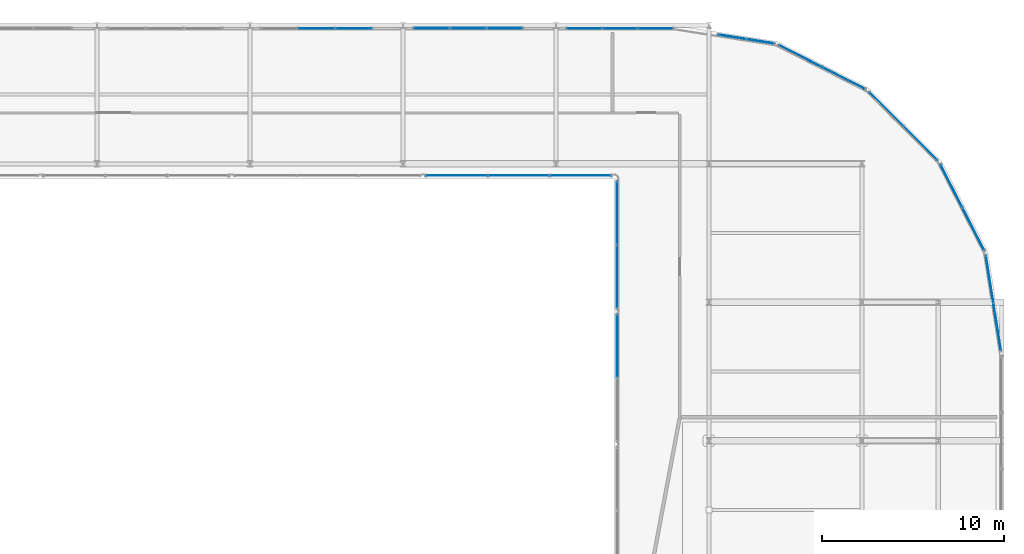
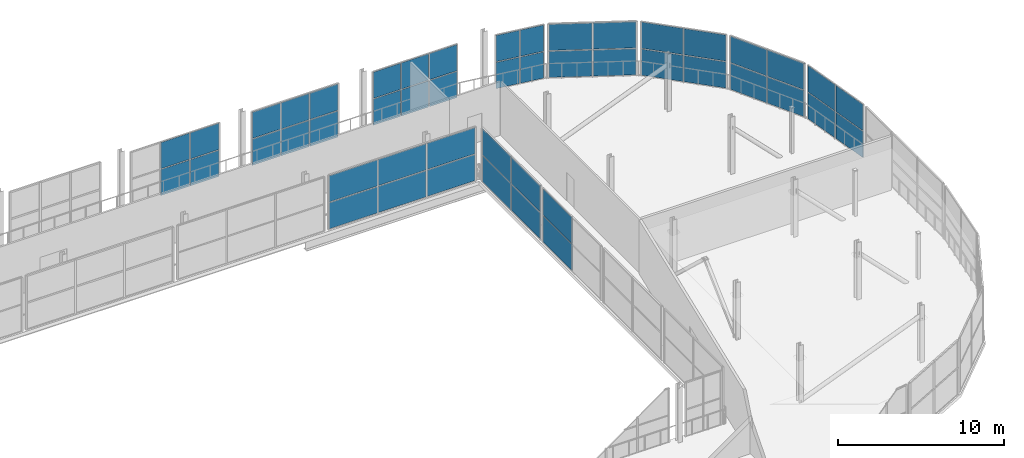
# One storey, part 121 of 151: 48 plates, 11 elements without a shape of their own.
"""IFC4 building model written with IfcOpenShell, lengths in metres."""

from ifc_helpers import new_model, si_unit, direction, frame, origin, origin_2d, place, context, subcontext, project, spatial, rectangle, extrude, material, layer, layer_set, type_object, element, aggregate, save


model = new_model("IFC4")

# Units and contexts
model_context = context("Model", 3, precision=1e-05, world=origin(), true_north=direction((0.0, 1.0)))
body_context = subcontext(model_context, "Body", "Model", "MODEL_VIEW")
ifc_project = project(units=[si_unit("LENGTHUNIT", "METRE"), si_unit("AREAUNIT", "SQUARE_METRE"), si_unit("VOLUMEUNIT", "CUBIC_METRE"), si_unit("PLANEANGLEUNIT", "RADIAN"), si_unit("MASSUNIT", "GRAM", prefix="KILO")], contexts=[model_context])

# Site, building, storey
site_placement = place(None, origin())
site = spatial("IfcSite", under=ifc_project, at=site_placement, CompositionType="ELEMENT")
building_placement = place(site_placement, origin())
building = spatial("IfcBuilding", under=site, at=building_placement, Name="Zuvorla Pavilion Media Centre", CompositionType="ELEMENT")
storey_placement = place(building_placement, frame((0.0, 0.0, 13.800048828125)))
storey = spatial("IfcBuildingStorey", under=building, at=storey_placement, Name="L03", CompositionType="ELEMENT", Elevation=13.800048828125)

# Curtain wall, plates
ifc_material_1 = material(Name="Unitised anodised aluminium and solar glass curtain wall", Category="aluminium")
curtain_wall_type_1 = type_object("IfcCurtainWallType", Name="CW-SYS-04", PredefinedType="USERDEFINED", material=ifc_material_1)
curtain_wall_1_placement = place(storey_placement, origin())
curtain_wall_1 = element("IfcCurtainWall", 1, at=curtain_wall_1_placement, inside=storey, type_object=curtain_wall_type_1, Name="L03 curtain wall CW04 103", ObjectType="CURTAIN WALL", PredefinedType="USERDEFINED")
ifc_material_2 = material(Name="Solar control double glazing", Category="glass")
ifc_layer_1 = layer(ifc_material_2, 0.028076171875)
ifc_layer_set_1 = layer_set([ifc_layer_1], Name="Solar control double glazing")
plate_type_1 = type_object("IfcPlateType", Name="CW-PNL-28", PredefinedType="CURTAIN_PANEL", material=ifc_layer_set_1)
plate_1_placement = place(storey_placement, frame((170.811279296875, 83.13330078125, 0.030029296875), z_axis=(0.0, 0.0, 1.0), x_axis=(-0.707106781187, 0.707106781187, 0.0)))
plate_1 = element("IfcPlate", 2, at=plate_1_placement, type_object=plate_type_1, Name="CW04 panel 1.1", PredefinedType="CURTAIN_PANEL", context=body_context, shape_type="SweptSolid", body=[
    extrude(rectangle(XDim=2.595947265625, YDim=0.028076171875, at=origin_2d()), origin(), (0.0, 0.0, 1.0), 1.919921875),
])
plate_2_placement = place(storey_placement, frame((170.811279296875, 83.13330078125, 2.010009765625), z_axis=(0.0, 0.0, 1.0), x_axis=(-0.707106781187, 0.707106781187, 0.0)))
plate_2 = element("IfcPlate", 3, at=plate_2_placement, type_object=plate_type_1, Name="CW04 panel 1.2", PredefinedType="CURTAIN_PANEL", context=body_context, shape_type="SweptSolid", body=[
    extrude(rectangle(XDim=2.595947265625, YDim=0.028076171875, at=origin_2d()), origin(), (0.0, 0.0, 1.0), 1.919921875),
])
plate_3_placement = place(storey_placement, frame((168.93310546875, 85.01123046875, 0.030029296875), z_axis=(0.0, 0.0, 1.0), x_axis=(-0.707106781187, 0.707106781187, 0.0)))
plate_3 = element("IfcPlate", 4, at=plate_3_placement, type_object=plate_type_1, Name="CW04 panel 2.1", PredefinedType="CURTAIN_PANEL", context=body_context, shape_type="SweptSolid", body=[
    extrude(rectangle(XDim=2.595947265625, YDim=0.028076171875, at=origin_2d()), origin(), (0.0, 0.0, 1.0), 1.919921875),
])
plate_4_placement = place(storey_placement, frame((168.93310546875, 85.01123046875, 2.010009765625), z_axis=(0.0, 0.0, 1.0), x_axis=(-0.707106781187, 0.707106781187, 0.0)))
plate_4 = element("IfcPlate", 5, at=plate_4_placement, type_object=plate_type_1, Name="CW04 panel 2.2", PredefinedType="CURTAIN_PANEL", context=body_context, shape_type="SweptSolid", body=[
    extrude(rectangle(XDim=2.595947265625, YDim=0.028076171875, at=origin_2d()), origin(), (0.0, 0.0, 1.0), 1.919921875),
])
aggregate(curtain_wall_1, [plate_1, plate_2, plate_3, plate_4])

curtain_wall_type_2 = type_object("IfcCurtainWallType", Name="CW-SYS-61", PredefinedType="USERDEFINED", material=ifc_material_1)
curtain_wall_2_placement = place(storey_placement, origin())
curtain_wall_2 = element("IfcCurtainWall", 6, at=curtain_wall_2_placement, inside=storey, type_object=curtain_wall_type_2, Name="L03 curtain wall CW61 108", ObjectType="CURTAIN WALL", PredefinedType="USERDEFINED")
plate_5_placement = place(storey_placement, frame((139.70166015625, 89.43994140625, 0.030029296875), z_axis=(0.0, 0.0, 1.0), x_axis=(-1.0, 0.0, 0.0)))
plate_5 = element("IfcPlate", 7, at=plate_5_placement, type_object=plate_type_1, Name="CW61 panel 1.1", PredefinedType="CURTAIN_PANEL", context=body_context, shape_type="SweptSolid", body=[
    extrude(rectangle(XDim=1.988037109375, YDim=0.028076171875, at=origin_2d()), origin(), (0.0, 0.0, 1.0), 1.919921875),
])
plate_6_placement = place(storey_placement, frame((139.70166015625, 89.43994140625, 2.010009765625), z_axis=(0.0, 0.0, 1.0), x_axis=(-1.0, 0.0, 0.0)))
plate_6 = element("IfcPlate", 8, at=plate_6_placement, type_object=plate_type_1, Name="CW61 panel 1.2", PredefinedType="CURTAIN_PANEL", context=body_context, shape_type="SweptSolid", body=[
    extrude(rectangle(XDim=1.988037109375, YDim=0.028076171875, at=origin_2d()), origin(), (0.0, 0.0, 1.0), 1.919921875),
])
plate_7_placement = place(storey_placement, frame((137.65380859375, 89.43994140625, 0.030029296875), z_axis=(0.0, 0.0, 1.0), x_axis=(-1.0, 0.0, 0.0)))
plate_7 = element("IfcPlate", 9, at=plate_7_placement, type_object=plate_type_1, Name="CW61 panel 2.1", PredefinedType="CURTAIN_PANEL", context=body_context, shape_type="SweptSolid", body=[
    extrude(rectangle(XDim=1.988037109375, YDim=0.028076171875, at=origin_2d()), origin(), (0.0, 0.0, 1.0), 1.919921875),
])
plate_8_placement = place(storey_placement, frame((137.65380859375, 89.43994140625, 2.010009765625), z_axis=(0.0, 0.0, 1.0), x_axis=(-1.0, 0.0, 0.0)))
plate_8 = element("IfcPlate", 10, at=plate_8_placement, type_object=plate_type_1, Name="CW61 panel 2.2", PredefinedType="CURTAIN_PANEL", context=body_context, shape_type="SweptSolid", body=[
    extrude(rectangle(XDim=1.988037109375, YDim=0.028076171875, at=origin_2d()), origin(), (0.0, 0.0, 1.0), 1.919921875),
])
aggregate(curtain_wall_2, [plate_5, plate_6, plate_7, plate_8])

curtain_wall_type_3 = type_object("IfcCurtainWallType", Name="CW-SYS-35", PredefinedType="USERDEFINED", material=ifc_material_1)
curtain_wall_3_placement = place(storey_placement, origin())
curtain_wall_3 = element("IfcCurtainWall", 11, at=curtain_wall_3_placement, inside=storey, type_object=curtain_wall_type_3, Name="L03 curtain wall CW35 185", ObjectType="CURTAIN WALL", PredefinedType="USERDEFINED")
plate_9_placement = place(storey_placement, frame((152.143310546875, 81.360107421875, 0.030029296875), z_axis=(0.0, 0.0, 1.0), x_axis=(-1.0, 0.0, 0.0)))
plate_9 = element("IfcPlate", 12, at=plate_9_placement, type_object=plate_type_1, Name="CW35 panel 1.1", PredefinedType="CURTAIN_PANEL", context=body_context, shape_type="SweptSolid", body=[
    extrude(rectangle(XDim=3.333251953125, YDim=0.028076171875, at=origin_2d()), origin(), (0.0, 0.0, 1.0), 1.919921875),
])
plate_10_placement = place(storey_placement, frame((152.143310546875, 81.360107421875, 2.010009765625), z_axis=(0.0, 0.0, 1.0), x_axis=(-1.0, 0.0, 0.0)))
plate_10 = element("IfcPlate", 13, at=plate_10_placement, type_object=plate_type_1, Name="CW35 panel 1.2", PredefinedType="CURTAIN_PANEL", context=body_context, shape_type="SweptSolid", body=[
    extrude(rectangle(XDim=3.333251953125, YDim=0.028076171875, at=origin_2d()), origin(), (0.0, 0.0, 1.0), 1.919921875),
])
plate_11_placement = place(storey_placement, frame((148.75, 81.360107421875, 0.030029296875), z_axis=(0.0, 0.0, 1.0), x_axis=(-1.0, 0.0, 0.0)))
plate_11 = element("IfcPlate", 14, at=plate_11_placement, type_object=plate_type_1, Name="CW35 panel 2.1", PredefinedType="CURTAIN_PANEL", context=body_context, shape_type="SweptSolid", body=[
    extrude(rectangle(XDim=3.333251953125, YDim=0.028076171875, at=origin_2d()), origin(), (0.0, 0.0, 1.0), 1.919921875),
])
plate_12_placement = place(storey_placement, frame((148.75, 81.360107421875, 2.010009765625), z_axis=(0.0, 0.0, 1.0), x_axis=(-1.0, 0.0, 0.0)))
plate_12 = element("IfcPlate", 15, at=plate_12_placement, type_object=plate_type_1, Name="CW35 panel 2.2", PredefinedType="CURTAIN_PANEL", context=body_context, shape_type="SweptSolid", body=[
    extrude(rectangle(XDim=3.333251953125, YDim=0.028076171875, at=origin_2d()), origin(), (0.0, 0.0, 1.0), 1.919921875),
])
plate_13_placement = place(storey_placement, frame((145.356689453125, 81.360107421875, 0.030029296875), z_axis=(0.0, 0.0, 1.0), x_axis=(-1.0, 0.0, 0.0)))
plate_13 = element("IfcPlate", 16, at=plate_13_placement, type_object=plate_type_1, Name="CW35 panel 3.1", PredefinedType="CURTAIN_PANEL", context=body_context, shape_type="SweptSolid", body=[
    extrude(rectangle(XDim=3.333251953125, YDim=0.028076171875, at=origin_2d()), origin(), (0.0, 0.0, 1.0), 1.919921875),
])
plate_14_placement = place(storey_placement, frame((145.356689453125, 81.360107421875, 2.010009765625), z_axis=(0.0, 0.0, 1.0), x_axis=(-1.0, 0.0, 0.0)))
plate_14 = element("IfcPlate", 17, at=plate_14_placement, type_object=plate_type_1, Name="CW35 panel 3.2", PredefinedType="CURTAIN_PANEL", context=body_context, shape_type="SweptSolid", body=[
    extrude(rectangle(XDim=3.333251953125, YDim=0.028076171875, at=origin_2d()), origin(), (0.0, 0.0, 1.0), 1.919921875),
])
aggregate(curtain_wall_3, [plate_9, plate_10, plate_11, plate_12, plate_13, plate_14])

curtain_wall_type_4 = type_object("IfcCurtainWallType", Name="CW-SYS-24", PredefinedType="USERDEFINED", material=ifc_material_1)
curtain_wall_4_placement = place(storey_placement, origin())
curtain_wall_4 = element("IfcCurtainWall", 18, at=curtain_wall_4_placement, inside=storey, type_object=curtain_wall_type_4, Name="L03 curtain wall CW24 193", ObjectType="CURTAIN WALL", PredefinedType="USERDEFINED")
plate_15_placement = place(storey_placement, frame((154.159912109375, 75.804931640625, 0.030029296875), z_axis=(0.0, 0.0, 1.0), x_axis=(0.0, 1.0, 0.0)))
plate_15 = element("IfcPlate", 19, at=plate_15_placement, type_object=plate_type_1, Name="CW24 panel 1.1", PredefinedType="CURTAIN_PANEL", context=body_context, shape_type="SweptSolid", body=[
    extrude(rectangle(XDim=3.429931640625, YDim=0.028076171875, at=origin_2d()), origin(), (0.0, 0.0, 1.0), 1.919921875),
])
plate_16_placement = place(storey_placement, frame((154.159912109375, 75.804931640625, 2.010009765625), z_axis=(0.0, 0.0, 1.0), x_axis=(0.0, 1.0, 0.0)))
plate_16 = element("IfcPlate", 20, at=plate_16_placement, type_object=plate_type_1, Name="CW24 panel 1.2", PredefinedType="CURTAIN_PANEL", context=body_context, shape_type="SweptSolid", body=[
    extrude(rectangle(XDim=3.429931640625, YDim=0.028076171875, at=origin_2d()), origin(), (0.0, 0.0, 1.0), 1.919921875),
])
plate_17_placement = place(storey_placement, frame((154.159912109375, 79.294921875, 0.030029296875), z_axis=(0.0, 0.0, 1.0), x_axis=(0.0, 1.0, 0.0)))
plate_17 = element("IfcPlate", 21, at=plate_17_placement, type_object=plate_type_1, Name="CW24 panel 2.1", PredefinedType="CURTAIN_PANEL", context=body_context, shape_type="SweptSolid", body=[
    extrude(rectangle(XDim=3.429931640625, YDim=0.028076171875, at=origin_2d()), origin(), (0.0, 0.0, 1.0), 1.919921875),
])
plate_18_placement = place(storey_placement, frame((154.159912109375, 79.294921875, 2.010009765625), z_axis=(0.0, 0.0, 1.0), x_axis=(0.0, 1.0, 0.0)))
plate_18 = element("IfcPlate", 22, at=plate_18_placement, type_object=plate_type_1, Name="CW24 panel 2.2", PredefinedType="CURTAIN_PANEL", context=body_context, shape_type="SweptSolid", body=[
    extrude(rectangle(XDim=3.429931640625, YDim=0.028076171875, at=origin_2d()), origin(), (0.0, 0.0, 1.0), 1.919921875),
])
aggregate(curtain_wall_4, [plate_15, plate_16, plate_17, plate_18])

curtain_wall_type_5 = type_object("IfcCurtainWallType", Name="CW-SYS-02", PredefinedType="USERDEFINED", material=ifc_material_1)
curtain_wall_5_placement = place(storey_placement, origin())
curtain_wall_5 = element("IfcCurtainWall", 23, at=curtain_wall_5_placement, inside=storey, type_object=curtain_wall_type_5, Name="L03 curtain wall CW02 101", ObjectType="CURTAIN WALL", PredefinedType="USERDEFINED")
ifc_material_3 = material(Name="Acoustic laminated solar glazing", Category="glass")
ifc_layer_2 = layer(ifc_material_3, 0.033935546875)
ifc_layer_set_2 = layer_set([ifc_layer_2], Name="Acoustic laminated solar glazing")
plate_type_2 = type_object("IfcPlateType", Name="CW-PNL-34", PredefinedType="CURTAIN_PANEL", material=ifc_layer_set_2)
plate_19_placement = place(storey_placement, frame((175.029052734375, 73.047607421875, 0.030029296875), z_axis=(0.0, 0.0, 1.0), x_axis=(-0.156428534885, 0.987689279821, 0.0)))
plate_19 = element("IfcPlate", 24, at=plate_19_placement, type_object=plate_type_2, Name="CW02 panel 1.1", PredefinedType="CURTAIN_PANEL", context=body_context, shape_type="SweptSolid", body=[
    extrude(rectangle(XDim=2.595947265625, YDim=0.033935546875, at=origin_2d()), origin(), (0.0, 0.0, 1.0), 1.919921875),
])
plate_20_placement = place(storey_placement, frame((175.029052734375, 73.047607421875, 2.010009765625), z_axis=(0.0, 0.0, 1.0), x_axis=(-0.156428534885, 0.987689279821, 0.0)))
plate_20 = element("IfcPlate", 25, at=plate_20_placement, type_object=plate_type_2, Name="CW02 panel 1.2", PredefinedType="CURTAIN_PANEL", context=body_context, shape_type="SweptSolid", body=[
    extrude(rectangle(XDim=2.595947265625, YDim=0.033935546875, at=origin_2d()), origin(), (0.0, 0.0, 1.0), 1.919921875),
])
plate_21_placement = place(storey_placement, frame((174.613525390625, 75.6708984375, 0.030029296875), z_axis=(0.0, 0.0, 1.0), x_axis=(-0.156428534885, 0.987689279821, 0.0)))
plate_21 = element("IfcPlate", 26, at=plate_21_placement, type_object=plate_type_2, Name="CW02 panel 2.1", PredefinedType="CURTAIN_PANEL", context=body_context, shape_type="SweptSolid", body=[
    extrude(rectangle(XDim=2.595947265625, YDim=0.033935546875, at=origin_2d()), origin(), (0.0, 0.0, 1.0), 1.919921875),
])
plate_22_placement = place(storey_placement, frame((174.613525390625, 75.6708984375, 2.010009765625), z_axis=(0.0, 0.0, 1.0), x_axis=(-0.156428534885, 0.987689279821, 0.0)))
plate_22 = element("IfcPlate", 27, at=plate_22_placement, type_object=plate_type_2, Name="CW02 panel 2.2", PredefinedType="CURTAIN_PANEL", context=body_context, shape_type="SweptSolid", body=[
    extrude(rectangle(XDim=2.595947265625, YDim=0.033935546875, at=origin_2d()), origin(), (0.0, 0.0, 1.0), 1.919921875),
])
aggregate(curtain_wall_5, [plate_19, plate_20, plate_21, plate_22])

curtain_wall_6_placement = place(storey_placement, origin())
curtain_wall_6 = element("IfcCurtainWall", 28, at=curtain_wall_6_placement, inside=storey, type_object=curtain_wall_type_5, Name="L03 curtain wall CW02 104", ObjectType="CURTAIN WALL", PredefinedType="USERDEFINED")
plate_23_placement = place(storey_placement, frame((166.5908203125, 86.713134765625, 0.030029296875), z_axis=(0.0, 0.0, 1.0), x_axis=(-0.891008892216, 0.453985852193, 0.0)))
plate_23 = element("IfcPlate", 29, at=plate_23_placement, type_object=plate_type_2, Name="CW02 panel 1.1", PredefinedType="CURTAIN_PANEL", context=body_context, shape_type="SweptSolid", body=[
    extrude(rectangle(XDim=2.595703125, YDim=0.033935546875, at=origin_2d()), origin(), (0.0, 0.0, 1.0), 1.919921875),
])
plate_24_placement = place(storey_placement, frame((166.5908203125, 86.713134765625, 2.010009765625), z_axis=(0.0, 0.0, 1.0), x_axis=(-0.891008892216, 0.453985852193, 0.0)))
plate_24 = element("IfcPlate", 30, at=plate_24_placement, type_object=plate_type_2, Name="CW02 panel 1.2", PredefinedType="CURTAIN_PANEL", context=body_context, shape_type="SweptSolid", body=[
    extrude(rectangle(XDim=2.595703125, YDim=0.033935546875, at=origin_2d()), origin(), (0.0, 0.0, 1.0), 1.919921875),
])
plate_25_placement = place(storey_placement, frame((164.224365234375, 87.918701171875, 0.030029296875), z_axis=(0.0, 0.0, 1.0), x_axis=(-0.891008892216, 0.453985852193, 0.0)))
plate_25 = element("IfcPlate", 31, at=plate_25_placement, type_object=plate_type_2, Name="CW02 panel 2.1", PredefinedType="CURTAIN_PANEL", context=body_context, shape_type="SweptSolid", body=[
    extrude(rectangle(XDim=2.595703125, YDim=0.033935546875, at=origin_2d()), origin(), (0.0, 0.0, 1.0), 1.919921875),
])
plate_26_placement = place(storey_placement, frame((164.224365234375, 87.918701171875, 2.010009765625), z_axis=(0.0, 0.0, 1.0), x_axis=(-0.891008892216, 0.453985852193, 0.0)))
plate_26 = element("IfcPlate", 32, at=plate_26_placement, type_object=plate_type_2, Name="CW02 panel 2.2", PredefinedType="CURTAIN_PANEL", context=body_context, shape_type="SweptSolid", body=[
    extrude(rectangle(XDim=2.595703125, YDim=0.033935546875, at=origin_2d()), origin(), (0.0, 0.0, 1.0), 1.919921875),
])
aggregate(curtain_wall_6, [plate_23, plate_24, plate_25, plate_26])

curtain_wall_type_6 = type_object("IfcCurtainWallType", Name="CW-SYS-19", PredefinedType="USERDEFINED", material=ifc_material_1)
curtain_wall_7_placement = place(storey_placement, origin())
curtain_wall_7 = element("IfcCurtainWall", 33, at=curtain_wall_7_placement, inside=storey, type_object=curtain_wall_type_6, Name="L03 curtain wall CW19 106", ObjectType="CURTAIN WALL", PredefinedType="USERDEFINED")
plate_27_placement = place(storey_placement, frame((156.263671875, 89.43994140625, 0.030029296875), z_axis=(0.0, 0.0, 1.0), x_axis=(-1.0, 0.0, 0.0)))
plate_27 = element("IfcPlate", 34, at=plate_27_placement, type_object=plate_type_2, Name="CW19 panel 1.1", PredefinedType="CURTAIN_PANEL", context=body_context, shape_type="SweptSolid", body=[
    extrude(rectangle(XDim=1.892578125, YDim=0.033935546875, at=origin_2d()), origin(), (0.0, 0.0, 1.0), 1.919921875),
])
plate_28_placement = place(storey_placement, frame((156.263671875, 89.43994140625, 2.010009765625), z_axis=(0.0, 0.0, 1.0), x_axis=(-1.0, 0.0, 0.0)))
plate_28 = element("IfcPlate", 35, at=plate_28_placement, type_object=plate_type_2, Name="CW19 panel 1.2", PredefinedType="CURTAIN_PANEL", context=body_context, shape_type="SweptSolid", body=[
    extrude(rectangle(XDim=1.892578125, YDim=0.033935546875, at=origin_2d()), origin(), (0.0, 0.0, 1.0), 1.919921875),
])
plate_29_placement = place(storey_placement, frame((154.31103515625, 89.43994140625, 0.030029296875), z_axis=(0.0, 0.0, 1.0), x_axis=(-1.0, 0.0, 0.0)))
plate_29 = element("IfcPlate", 36, at=plate_29_placement, type_object=plate_type_2, Name="CW19 panel 2.1", PredefinedType="CURTAIN_PANEL", context=body_context, shape_type="SweptSolid", body=[
    extrude(rectangle(XDim=1.892578125, YDim=0.033935546875, at=origin_2d()), origin(), (0.0, 0.0, 1.0), 1.919921875),
])
plate_30_placement = place(storey_placement, frame((154.31103515625, 89.43994140625, 2.010009765625), z_axis=(0.0, 0.0, 1.0), x_axis=(-1.0, 0.0, 0.0)))
plate_30 = element("IfcPlate", 37, at=plate_30_placement, type_object=plate_type_2, Name="CW19 panel 2.2", PredefinedType="CURTAIN_PANEL", context=body_context, shape_type="SweptSolid", body=[
    extrude(rectangle(XDim=1.892578125, YDim=0.033935546875, at=origin_2d()), origin(), (0.0, 0.0, 1.0), 1.919921875),
])
plate_31_placement = place(storey_placement, frame((152.358154296875, 89.43994140625, 0.030029296875), z_axis=(0.0, 0.0, 1.0), x_axis=(-1.0, 0.0, 0.0)))
plate_31 = element("IfcPlate", 38, at=plate_31_placement, type_object=plate_type_2, Name="CW19 panel 3.1", PredefinedType="CURTAIN_PANEL", context=body_context, shape_type="SweptSolid", body=[
    extrude(rectangle(XDim=1.892578125, YDim=0.033935546875, at=origin_2d()), origin(), (0.0, 0.0, 1.0), 1.919921875),
])
plate_32_placement = place(storey_placement, frame((152.358154296875, 89.43994140625, 2.010009765625), z_axis=(0.0, 0.0, 1.0), x_axis=(-1.0, 0.0, 0.0)))
plate_32 = element("IfcPlate", 39, at=plate_32_placement, type_object=plate_type_2, Name="CW19 panel 3.2", PredefinedType="CURTAIN_PANEL", context=body_context, shape_type="SweptSolid", body=[
    extrude(rectangle(XDim=1.892578125, YDim=0.033935546875, at=origin_2d()), origin(), (0.0, 0.0, 1.0), 1.919921875),
])
aggregate(curtain_wall_7, [plate_27, plate_28, plate_29, plate_30, plate_31, plate_32])

curtain_wall_type_7 = type_object("IfcCurtainWallType", Name="CW-SYS-03", PredefinedType="USERDEFINED", material=ifc_material_1)
curtain_wall_8_placement = place(storey_placement, origin())
curtain_wall_8 = element("IfcCurtainWall", 40, at=curtain_wall_8_placement, inside=storey, type_object=curtain_wall_type_7, Name="L03 curtain wall CW03 102", ObjectType="CURTAIN WALL", PredefinedType="USERDEFINED")
ifc_material_4 = material(Name="Triple acoustic broadcast glazing", Category="glass")
ifc_layer_3 = layer(ifc_material_4, 0.0419921875)
ifc_layer_set_3 = layer_set([ifc_layer_3], Name="Triple acoustic broadcast glazing")
plate_type_3 = type_object("IfcPlateType", Name="CW-PNL-42", PredefinedType="CURTAIN_PANEL", material=ifc_layer_set_3)
plate_33_placement = place(storey_placement, frame((173.71875, 78.424560546875, 0.030029296875), z_axis=(0.0, 0.0, 1.0), x_axis=(-0.453985852193, 0.891008892216, 0.0)))
plate_33 = element("IfcPlate", 41, at=plate_33_placement, type_object=plate_type_3, Name="CW03 panel 1.1", PredefinedType="CURTAIN_PANEL", context=body_context, shape_type="SweptSolid", body=[
    extrude(rectangle(XDim=2.595703125, YDim=0.0419921875, at=origin_2d()), origin(), (0.0, 0.0, 1.0), 1.919921875),
])
plate_34_placement = place(storey_placement, frame((173.71875, 78.424560546875, 2.010009765625), z_axis=(0.0, 0.0, 1.0), x_axis=(-0.453985852193, 0.891008892216, 0.0)))
plate_34 = element("IfcPlate", 42, at=plate_34_placement, type_object=plate_type_3, Name="CW03 panel 1.2", PredefinedType="CURTAIN_PANEL", context=body_context, shape_type="SweptSolid", body=[
    extrude(rectangle(XDim=2.595703125, YDim=0.0419921875, at=origin_2d()), origin(), (0.0, 0.0, 1.0), 1.919921875),
])
plate_35_placement = place(storey_placement, frame((172.512939453125, 80.790771484375, 0.030029296875), z_axis=(0.0, 0.0, 1.0), x_axis=(-0.453985852193, 0.891008892216, 0.0)))
plate_35 = element("IfcPlate", 43, at=plate_35_placement, type_object=plate_type_3, Name="CW03 panel 2.1", PredefinedType="CURTAIN_PANEL", context=body_context, shape_type="SweptSolid", body=[
    extrude(rectangle(XDim=2.595703125, YDim=0.0419921875, at=origin_2d()), origin(), (0.0, 0.0, 1.0), 1.919921875),
])
plate_36_placement = place(storey_placement, frame((172.512939453125, 80.790771484375, 2.010009765625), z_axis=(0.0, 0.0, 1.0), x_axis=(-0.453985852193, 0.891008892216, 0.0)))
plate_36 = element("IfcPlate", 44, at=plate_36_placement, type_object=plate_type_3, Name="CW03 panel 2.2", PredefinedType="CURTAIN_PANEL", context=body_context, shape_type="SweptSolid", body=[
    extrude(rectangle(XDim=2.595703125, YDim=0.0419921875, at=origin_2d()), origin(), (0.0, 0.0, 1.0), 1.919921875),
])
aggregate(curtain_wall_8, [plate_33, plate_34, plate_35, plate_36])

curtain_wall_type_8 = type_object("IfcCurtainWallType", Name="CW-SYS-60", PredefinedType="USERDEFINED", material=ifc_material_1)
curtain_wall_9_placement = place(storey_placement, origin())
curtain_wall_9 = element("IfcCurtainWall", 45, at=curtain_wall_9_placement, inside=storey, type_object=curtain_wall_type_8, Name="L03 curtain wall CW60 105", ObjectType="CURTAIN WALL", PredefinedType="USERDEFINED")
plate_37_placement = place(storey_placement, frame((162.013916015625, 88.7275390625, 0.030029296875), z_axis=(0.0, 0.0, 1.0), x_axis=(-0.987688857741, 0.156431199877, 0.0)))
plate_37 = element("IfcPlate", 46, at=plate_37_placement, type_object=plate_type_3, Name="CW60 panel 1.1", PredefinedType="CURTAIN_PANEL", context=body_context, shape_type="SweptSolid", body=[
    extrude(rectangle(XDim=1.495849609375, YDim=0.0419921875, at=origin_2d()), origin(), (0.0, 0.0, 1.0), 1.919921875),
])
plate_38_placement = place(storey_placement, frame((162.013916015625, 88.7275390625, 2.010009765625), z_axis=(0.0, 0.0, 1.0), x_axis=(-0.987688857741, 0.156431199877, 0.0)))
plate_38 = element("IfcPlate", 47, at=plate_38_placement, type_object=plate_type_3, Name="CW60 panel 1.2", PredefinedType="CURTAIN_PANEL", context=body_context, shape_type="SweptSolid", body=[
    extrude(rectangle(XDim=1.495849609375, YDim=0.0419921875, at=origin_2d()), origin(), (0.0, 0.0, 1.0), 1.919921875),
])
plate_39_placement = place(storey_placement, frame((160.477294921875, 88.970947265625, 0.030029296875), z_axis=(0.0, 0.0, 1.0), x_axis=(-0.987688857741, 0.156431199877, 0.0)))
plate_39 = element("IfcPlate", 48, at=plate_39_placement, type_object=plate_type_3, Name="CW60 panel 2.1", PredefinedType="CURTAIN_PANEL", context=body_context, shape_type="SweptSolid", body=[
    extrude(rectangle(XDim=1.495849609375, YDim=0.0419921875, at=origin_2d()), origin(), (0.0, 0.0, 1.0), 1.919921875),
])
plate_40_placement = place(storey_placement, frame((160.477294921875, 88.970947265625, 2.010009765625), z_axis=(0.0, 0.0, 1.0), x_axis=(-0.987688857741, 0.156431199877, 0.0)))
plate_40 = element("IfcPlate", 49, at=plate_40_placement, type_object=plate_type_3, Name="CW60 panel 2.2", PredefinedType="CURTAIN_PANEL", context=body_context, shape_type="SweptSolid", body=[
    extrude(rectangle(XDim=1.495849609375, YDim=0.0419921875, at=origin_2d()), origin(), (0.0, 0.0, 1.0), 1.919921875),
])
aggregate(curtain_wall_9, [plate_37, plate_38, plate_39, plate_40])

curtain_wall_type_9 = type_object("IfcCurtainWallType", Name="CW-SYS-18", PredefinedType="USERDEFINED", material=ifc_material_1)
curtain_wall_10_placement = place(storey_placement, origin())
curtain_wall_10 = element("IfcCurtainWall", 50, at=curtain_wall_10_placement, inside=storey, type_object=curtain_wall_type_9, Name="L03 curtain wall CW18 107", ObjectType="CURTAIN WALL", PredefinedType="USERDEFINED")
plate_41_placement = place(storey_placement, frame((147.982666015625, 89.43994140625, 0.030029296875), z_axis=(0.0, 0.0, 1.0), x_axis=(-1.0, 0.0, 0.0)))
plate_41 = element("IfcPlate", 51, at=plate_41_placement, type_object=plate_type_3, Name="CW18 panel 1.1", PredefinedType="CURTAIN_PANEL", context=body_context, shape_type="SweptSolid", body=[
    extrude(rectangle(XDim=1.9404296875, YDim=0.0419921875, at=origin_2d()), origin(), (0.0, 0.0, 1.0), 1.919921875),
])
plate_42_placement = place(storey_placement, frame((147.982666015625, 89.43994140625, 2.010009765625), z_axis=(0.0, 0.0, 1.0), x_axis=(-1.0, 0.0, 0.0)))
plate_42 = element("IfcPlate", 52, at=plate_42_placement, type_object=plate_type_3, Name="CW18 panel 1.2", PredefinedType="CURTAIN_PANEL", context=body_context, shape_type="SweptSolid", body=[
    extrude(rectangle(XDim=1.9404296875, YDim=0.0419921875, at=origin_2d()), origin(), (0.0, 0.0, 1.0), 1.919921875),
])
plate_43_placement = place(storey_placement, frame((145.982421875, 89.43994140625, 0.030029296875), z_axis=(0.0, 0.0, 1.0), x_axis=(-1.0, 0.0, 0.0)))
plate_43 = element("IfcPlate", 53, at=plate_43_placement, type_object=plate_type_3, Name="CW18 panel 2.1", PredefinedType="CURTAIN_PANEL", context=body_context, shape_type="SweptSolid", body=[
    extrude(rectangle(XDim=1.9404296875, YDim=0.0419921875, at=origin_2d()), origin(), (0.0, 0.0, 1.0), 1.919921875),
])
plate_44_placement = place(storey_placement, frame((145.982421875, 89.43994140625, 2.010009765625), z_axis=(0.0, 0.0, 1.0), x_axis=(-1.0, 0.0, 0.0)))
plate_44 = element("IfcPlate", 54, at=plate_44_placement, type_object=plate_type_3, Name="CW18 panel 2.2", PredefinedType="CURTAIN_PANEL", context=body_context, shape_type="SweptSolid", body=[
    extrude(rectangle(XDim=1.9404296875, YDim=0.0419921875, at=origin_2d()), origin(), (0.0, 0.0, 1.0), 1.919921875),
])
plate_45_placement = place(storey_placement, frame((143.982177734375, 89.43994140625, 0.030029296875), z_axis=(0.0, 0.0, 1.0), x_axis=(-1.0, 0.0, 0.0)))
plate_45 = element("IfcPlate", 55, at=plate_45_placement, type_object=plate_type_3, Name="CW18 panel 3.1", PredefinedType="CURTAIN_PANEL", context=body_context, shape_type="SweptSolid", body=[
    extrude(rectangle(XDim=1.9404296875, YDim=0.0419921875, at=origin_2d()), origin(), (0.0, 0.0, 1.0), 1.919921875),
])
plate_46_placement = place(storey_placement, frame((143.982177734375, 89.43994140625, 2.010009765625), z_axis=(0.0, 0.0, 1.0), x_axis=(-1.0, 0.0, 0.0)))
plate_46 = element("IfcPlate", 56, at=plate_46_placement, type_object=plate_type_3, Name="CW18 panel 3.2", PredefinedType="CURTAIN_PANEL", context=body_context, shape_type="SweptSolid", body=[
    extrude(rectangle(XDim=1.9404296875, YDim=0.0419921875, at=origin_2d()), origin(), (0.0, 0.0, 1.0), 1.919921875),
])
aggregate(curtain_wall_10, [plate_41, plate_42, plate_43, plate_44, plate_45, plate_46])

curtain_wall_type_10 = type_object("IfcCurtainWallType", Name="CW-SYS-57", PredefinedType="USERDEFINED", material=ifc_material_1)
curtain_wall_11_placement = place(storey_placement, origin())
curtain_wall_11 = element("IfcCurtainWall", 57, at=curtain_wall_11_placement, inside=storey, type_object=curtain_wall_type_10, Name="L03 curtain wall CW57 191", ObjectType="CURTAIN WALL", PredefinedType="USERDEFINED")
plate_47_placement = place(storey_placement, frame((154.159912109375, 71.9951171875, 0.030029296875), z_axis=(0.0, 0.0, 1.0), x_axis=(0.0, 1.0, 0.0)))
plate_47 = element("IfcPlate", 58, at=plate_47_placement, type_object=plate_type_3, Name="CW57 panel 2.1", PredefinedType="CURTAIN_PANEL", context=body_context, shape_type="SweptSolid", body=[
    extrude(rectangle(XDim=3.429931640625, YDim=0.0419921875, at=origin_2d()), origin(), (0.0, 0.0, 1.0), 1.919921875),
])
plate_48_placement = place(storey_placement, frame((154.159912109375, 71.9951171875, 2.010009765625), z_axis=(0.0, 0.0, 1.0), x_axis=(0.0, 1.0, 0.0)))
plate_48 = element("IfcPlate", 59, at=plate_48_placement, type_object=plate_type_3, Name="CW57 panel 2.2", PredefinedType="CURTAIN_PANEL", context=body_context, shape_type="SweptSolid", body=[
    extrude(rectangle(XDim=3.429931640625, YDim=0.0419921875, at=origin_2d()), origin(), (0.0, 0.0, 1.0), 1.919921875),
])
aggregate(curtain_wall_11, [plate_47, plate_48])

save(model, "model.ifc")
